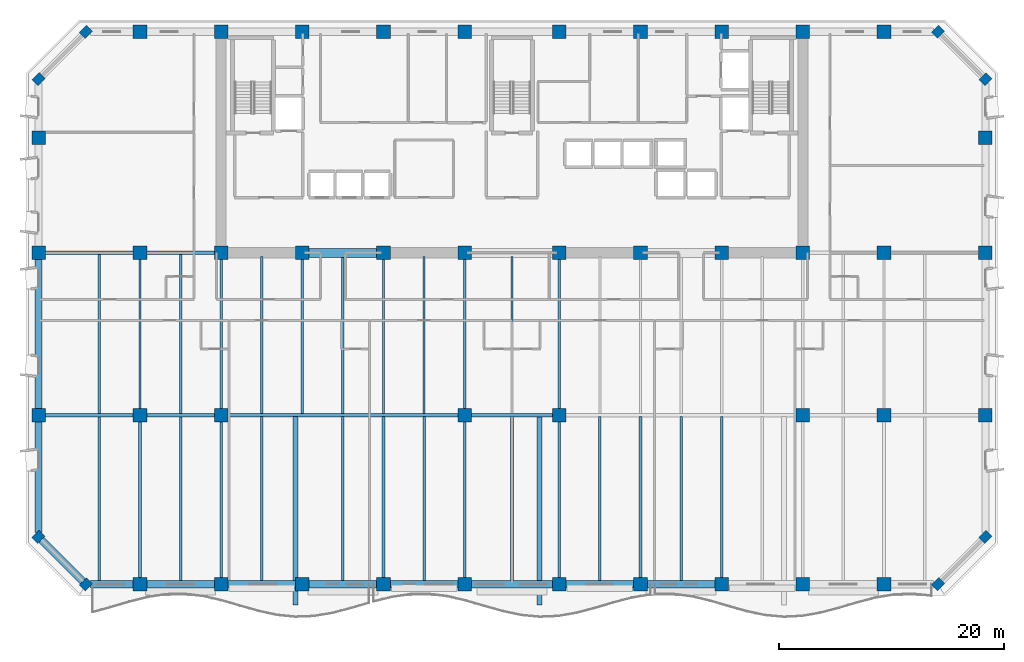
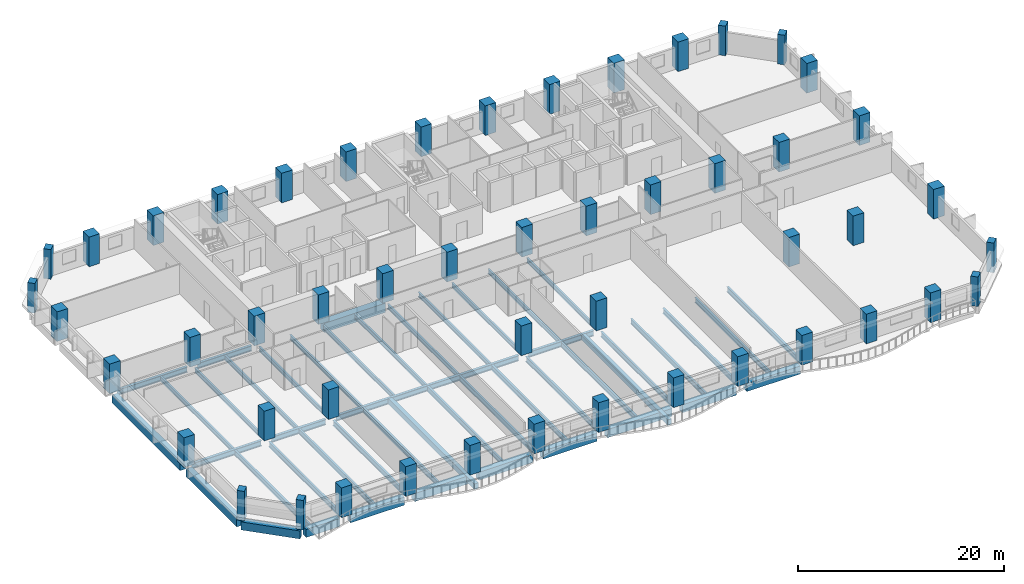
# One storey, part 1 of 15: 50 columns, 47 beams.
"""IFC4 building model written with IfcOpenShell, lengths in metres."""

from ifc_helpers import new_model, si_unit, direction, frame, origin, origin_2d, place, context, subcontext, project, spatial, rectangle, i_section, extrude, material, material_profile, profile_set, type_object, element, save


model = new_model("IFC4")

# Units and contexts
model_context = context("Model", 3, precision=1e-05, world=origin(), true_north=direction((0.0, 1.0)))
body_context = subcontext(model_context, "Body", "Model", "MODEL_VIEW")
ifc_project = project(units=[si_unit("LENGTHUNIT", "METRE"), si_unit("AREAUNIT", "SQUARE_METRE"), si_unit("VOLUMEUNIT", "CUBIC_METRE"), si_unit("PLANEANGLEUNIT", "RADIAN"), si_unit("MASSUNIT", "GRAM", prefix="KILO")], contexts=[model_context])

# Site, building, storey
site_placement = place(None, origin())
site = spatial("IfcSite", under=ifc_project, at=site_placement, CompositionType="ELEMENT")
building_placement = place(site_placement, origin())
building = spatial("IfcBuilding", under=site, at=building_placement, Name="Kaelvorn Grand Hotel", CompositionType="ELEMENT")
storey_placement = place(building_placement, frame((0.0, 0.0, 115.550048828125)))
storey = spatial("IfcBuildingStorey", under=building, at=storey_placement, Name="L27", CompositionType="ELEMENT", Elevation=115.550048828125)

# Columns
ifc_material_1 = material(Name="Concrete C60/75", Category="concrete")
ifc_material_profile_1 = material_profile(ifc_material_1, rectangle(XDim=0.89990234375, YDim=0.75, at=origin_2d()), Name="RC PILASTER 900x750")
ifc_profile_set_1 = profile_set([ifc_material_profile_1], Name="Concrete C60/75")
column_type_1 = type_object("IfcColumnType", Name="COL-PIL-900x750-C60", PredefinedType="PILASTER", material=ifc_profile_set_1)
for number, where, z_axis, x_axis, name in (
    (1, (4.199951171875, 0.0, 0.0), (0.0, 0.0, 1.0), (0.707106781187, 0.707106781187, 0.0), "L27 Structural Column CH-01"),
    (2, (79.800048828125, 0.0, 0.0), (0.0, 0.0, 1.0), (0.707106781187, 0.707106781187, 0.0), "L27 Structural Column CH-02"),
    (3, (84.0, 4.199951171875, 0.0), (0.0, 0.0, 1.0), (0.707106781187, 0.707106781187, 0.0), "L27 Structural Column CH-03"),
    (4, (84.0, 44.800048828125, 0.0), (0.0, 0.0, 1.0), (0.707106781187, 0.707106781187, 0.0), "L27 Structural Column CH-04"),
    (5, (79.800048828125, 49.0, 0.0), (0.0, 0.0, 1.0), (0.707106781187, 0.707106781187, 0.0), "L27 Structural Column CH-05"),
    (6, (4.199951171875, 49.0, 0.0), (0.0, 0.0, 1.0), (0.707106781187, 0.707106781187, 0.0), "L27 Structural Column CH-06"),
    (7, (0.0, 44.800048828125, 0.0), (0.0, 0.0, 1.0), (0.707106781187, 0.707106781187, 0.0), "L27 Structural Column CH-07"),
    (8, (0.0, 4.199951171875, 0.0), (0.0, 0.0, 1.0), (0.707106781187, 0.707106781187, 0.0), "L27 Structural Column CH-08"),
):
    element("IfcColumn", number, at=place(storey_placement, frame(where, z_axis=z_axis, x_axis=x_axis)), inside=storey, type_object=column_type_1, Name=name, PredefinedType="PILASTER", context=body_context, shape_type="SweptSolid", body=[
        extrude(rectangle(XDim=0.89990234375, YDim=0.75, at=origin_2d()), origin(), (0.0, 0.0, 1.0), 3.510009765625),
    ])
ifc_material_profile_2 = material_profile(ifc_material_1, rectangle(XDim=1.199951171875, YDim=1.199951171875, at=origin_2d()), Name="RC COL 1200x1200")
ifc_profile_set_2 = profile_set([ifc_material_profile_2], Name="Concrete C60/75")
column_type_2 = type_object("IfcColumnType", Name="COL-RC-1200-C60", PredefinedType="COLUMN", material=ifc_profile_set_2)
for number, where, z_axis, x_axis, name in (
    (9, (9.0, 0.0, 0.0), (0.0, 0.0, 1.0), (1.0, 0.0, 0.0), "L27 Structural Column S-01"),
    (10, (16.199951171875, 0.0, 0.0), (0.0, 0.0, 1.0), (1.0, 0.0, 0.0), "L27 Structural Column S-02"),
    (11, (23.39990234375, 0.0, 0.0), (0.0, 0.0, 1.0), (1.0, 0.0, 0.0), "L27 Structural Column S-03"),
    (12, (30.60009765625, 0.0, 0.0), (0.0, 0.0, 1.0), (1.0, 0.0, 0.0), "L27 Structural Column S-04"),
    (13, (37.800048828125, 0.0, 0.0), (0.0, 0.0, 1.0), (1.0, 0.0, 0.0), "L27 Structural Column S-05"),
    (14, (46.199951171875, 0.0, 0.0), (0.0, 0.0, 1.0), (1.0, 0.0, 0.0), "L27 Structural Column S-06"),
    (15, (53.39990234375, 0.0, 0.0), (0.0, 0.0, 1.0), (1.0, 0.0, 0.0), "L27 Structural Column S-07"),
    (16, (60.60009765625, 0.0, 0.0), (0.0, 0.0, 1.0), (1.0, 0.0, 0.0), "L27 Structural Column S-08"),
    (17, (67.800048828125, 0.0, 0.0), (0.0, 0.0, 1.0), (1.0, 0.0, 0.0), "L27 Structural Column S-09"),
    (18, (75.0, 0.0, 0.0), (0.0, 0.0, 1.0), (1.0, 0.0, 0.0), "L27 Structural Column S-10"),
    (19, (0.0, 15.0, 0.0), (0.0, 0.0, 1.0), (1.0, 0.0, 0.0), "L27 Structural Column W-01"),
    (20, (84.0, 15.0, 0.0), (0.0, 0.0, 1.0), (1.0, 0.0, 0.0), "L27 Structural Column E-01"),
    (21, (0.0, 29.39990234375, 0.0), (0.0, 0.0, 1.0), (1.0, 0.0, 0.0), "L27 Structural Column W-02"),
    (22, (84.0, 29.39990234375, 0.0), (0.0, 0.0, 1.0), (1.0, 0.0, 0.0), "L27 Structural Column E-02"),
    (23, (0.0, 39.60009765625, 0.0), (0.0, 0.0, 1.0), (1.0, 0.0, 0.0), "L27 Structural Column W-03"),
    (24, (84.0, 39.60009765625, 0.0), (0.0, 0.0, 1.0), (1.0, 0.0, 0.0), "L27 Structural Column E-03"),
    (25, (9.0, 15.0, 0.0), (0.0, 0.0, 1.0), (1.0, 0.0, 0.0), "L27 Structural Column M-01"),
    (26, (16.199951171875, 15.0, 0.0), (0.0, 0.0, 1.0), (1.0, 0.0, 0.0), "L27 Structural Column M-02"),
    (27, (37.800048828125, 15.0, 0.0), (0.0, 0.0, 1.0), (1.0, 0.0, 0.0), "L27 Structural Column M-03"),
    (28, (46.199951171875, 15.0, 0.0), (0.0, 0.0, 1.0), (1.0, 0.0, 0.0), "L27 Structural Column M-04"),
    (29, (67.800048828125, 15.0, 0.0), (0.0, 0.0, 1.0), (1.0, 0.0, 0.0), "L27 Structural Column M-05"),
    (30, (75.0, 15.0, 0.0), (0.0, 0.0, 1.0), (1.0, 0.0, 0.0), "L27 Structural Column M-06"),
    (31, (9.0, 29.39990234375, 0.0), (0.0, 0.0, 1.0), (1.0, 0.0, 0.0), "L27 Structural Column CR1-01"),
    (32, (9.0, 49.0, 0.0), (0.0, 0.0, 1.0), (1.0, 0.0, 0.0), "L27 Structural Column CR2-01"),
    (33, (16.199951171875, 29.39990234375, 0.0), (0.0, 0.0, 1.0), (1.0, 0.0, 0.0), "L27 Structural Column CR1-02"),
    (34, (16.199951171875, 49.0, 0.0), (0.0, 0.0, 1.0), (1.0, 0.0, 0.0), "L27 Structural Column CR2-02"),
    (35, (23.39990234375, 29.39990234375, 0.0), (0.0, 0.0, 1.0), (1.0, 0.0, 0.0), "L27 Structural Column CR1-03"),
    (36, (23.39990234375, 49.0, 0.0), (0.0, 0.0, 1.0), (1.0, 0.0, 0.0), "L27 Structural Column CR2-03"),
    (37, (30.60009765625, 29.39990234375, 0.0), (0.0, 0.0, 1.0), (1.0, 0.0, 0.0), "L27 Structural Column CR1-04"),
    (38, (30.60009765625, 49.0, 0.0), (0.0, 0.0, 1.0), (1.0, 0.0, 0.0), "L27 Structural Column CR2-04"),
    (39, (37.800048828125, 29.39990234375, 0.0), (0.0, 0.0, 1.0), (1.0, 0.0, 0.0), "L27 Structural Column CR1-05"),
    (40, (37.800048828125, 49.0, 0.0), (0.0, 0.0, 1.0), (1.0, 0.0, 0.0), "L27 Structural Column CR2-05"),
    (41, (46.199951171875, 29.39990234375, 0.0), (0.0, 0.0, 1.0), (1.0, 0.0, 0.0), "L27 Structural Column CR1-06"),
    (42, (46.199951171875, 49.0, 0.0), (0.0, 0.0, 1.0), (1.0, 0.0, 0.0), "L27 Structural Column CR2-06"),
    (43, (53.39990234375, 29.39990234375, 0.0), (0.0, 0.0, 1.0), (1.0, 0.0, 0.0), "L27 Structural Column CR1-07"),
    (44, (53.39990234375, 49.0, 0.0), (0.0, 0.0, 1.0), (1.0, 0.0, 0.0), "L27 Structural Column CR2-07"),
    (45, (60.60009765625, 29.39990234375, 0.0), (0.0, 0.0, 1.0), (1.0, 0.0, 0.0), "L27 Structural Column CR1-08"),
    (46, (60.60009765625, 49.0, 0.0), (0.0, 0.0, 1.0), (1.0, 0.0, 0.0), "L27 Structural Column CR2-08"),
    (47, (67.800048828125, 29.39990234375, 0.0), (0.0, 0.0, 1.0), (1.0, 0.0, 0.0), "L27 Structural Column CR1-09"),
    (48, (67.800048828125, 49.0, 0.0), (0.0, 0.0, 1.0), (1.0, 0.0, 0.0), "L27 Structural Column CR2-09"),
    (49, (75.0, 29.39990234375, 0.0), (0.0, 0.0, 1.0), (1.0, 0.0, 0.0), "L27 Structural Column CR1-10"),
    (50, (75.0, 49.0, 0.0), (0.0, 0.0, 1.0), (1.0, 0.0, 0.0), "L27 Structural Column CR2-10"),
):
    element("IfcColumn", number, at=place(storey_placement, frame(where, z_axis=z_axis, x_axis=x_axis)), inside=storey, type_object=column_type_2, Name=name, PredefinedType="COLUMN", context=body_context, shape_type="SweptSolid", body=[
        extrude(rectangle(XDim=1.199951171875, YDim=1.199951171875, at=origin_2d()), origin(), (0.0, 0.0, 1.0), 3.510009765625),
    ])

# Beams
ifc_material_2 = material(Name="Steel S355", Category="steel")
ifc_material_profile_3 = material_profile(ifc_material_2, i_section(OverallWidth=0.300048828125, OverallDepth=0.64990234375, WebThickness=0.01611328125, FlangeThickness=0.031005859375, FilletRadius=0.027099609375, at=origin_2d()), Name="HEB 650")
ifc_profile_set_3 = profile_set([ifc_material_profile_3], Name="Steel S355")
beam_type_1 = type_object("IfcBeamType", Name="BM-G-HEB650-S355", PredefinedType="BEAM", material=ifc_profile_set_3)
beam_1_placement = place(storey_placement, frame((0.5849609375, 15.0, -0.56494140625), z_axis=(1.0, 0.0, 0.0), x_axis=(0.0, 1.0, 0.0)))
element("IfcBeam", 51, at=beam_1_placement, inside=storey, type_object=beam_type_1, Name="L27 Primary Spine Steel Girder G-15 01", PredefinedType="BEAM", context=body_context, shape_type="SweptSolid", body=[
    extrude(i_section(OverallWidth=0.300048828125, OverallDepth=0.64990234375, WebThickness=0.01611328125, FlangeThickness=0.031005859375, FilletRadius=0.027099609375, at=origin_2d()), origin(), (0.0, 0.0, 1.0), 7.830078125),
])
beam_2_placement = place(storey_placement, frame((9.5849609375, 15.0, -0.56494140625), z_axis=(1.0, 0.0, 0.0), x_axis=(0.0, 1.0, 0.0)))
element("IfcBeam", 52, at=beam_2_placement, inside=storey, type_object=beam_type_1, Name="L27 Primary Spine Steel Girder G-15 02", PredefinedType="BEAM", context=body_context, shape_type="SweptSolid", body=[
    extrude(i_section(OverallWidth=0.300048828125, OverallDepth=0.64990234375, WebThickness=0.01611328125, FlangeThickness=0.031005859375, FilletRadius=0.027099609375, at=origin_2d()), origin(), (0.0, 0.0, 1.0), 6.030029296875),
])
beam_3_placement = place(storey_placement, frame((16.784912109375, 15.0, -0.56494140625), z_axis=(1.0, 0.0, 0.0), x_axis=(0.0, 1.0, 0.0)))
element("IfcBeam", 53, at=beam_3_placement, inside=storey, type_object=beam_type_1, Name="L27 Primary Spine Steel Girder G-15 03", PredefinedType="BEAM", context=body_context, shape_type="SweptSolid", body=[
    extrude(i_section(OverallWidth=0.300048828125, OverallDepth=0.64990234375, WebThickness=0.01611328125, FlangeThickness=0.031005859375, FilletRadius=0.027099609375, at=origin_2d()), origin(), (0.0, 0.0, 1.0), 20.43017578125),
])
beam_4_placement = place(storey_placement, frame((38.385009765625, 15.0, -0.56494140625), z_axis=(1.0, 0.0, 0.0), x_axis=(0.0, 1.0, 0.0)))
element("IfcBeam", 54, at=beam_4_placement, inside=storey, type_object=beam_type_1, Name="L27 Primary Spine Steel Girder G-15 04", PredefinedType="BEAM", context=body_context, shape_type="SweptSolid", body=[
    extrude(i_section(OverallWidth=0.300048828125, OverallDepth=0.64990234375, WebThickness=0.01611328125, FlangeThickness=0.031005859375, FilletRadius=0.027099609375, at=origin_2d()), origin(), (0.0, 0.0, 1.0), 7.22998046875),
])
beam_5_placement = place(storey_placement, frame((0.5849609375, 29.39990234375, -0.56494140625), z_axis=(1.0, 0.0, 0.0), x_axis=(0.0, 1.0, 0.0)))
element("IfcBeam", 55, at=beam_5_placement, inside=storey, type_object=beam_type_1, Name="L27 West Core Wing Steel Girder G-29W 01", PredefinedType="BEAM", context=body_context, shape_type="SweptSolid", body=[
    extrude(i_section(OverallWidth=0.300048828125, OverallDepth=0.64990234375, WebThickness=0.01611328125, FlangeThickness=0.031005859375, FilletRadius=0.027099609375, at=origin_2d()), origin(), (0.0, 0.0, 1.0), 7.830078125),
])
beam_6_placement = place(storey_placement, frame((9.5849609375, 29.39990234375, -0.56494140625), z_axis=(1.0, 0.0, 0.0), x_axis=(0.0, 1.0, 0.0)))
element("IfcBeam", 56, at=beam_6_placement, inside=storey, type_object=beam_type_1, Name="L27 West Core Wing Steel Girder G-29W 02", PredefinedType="BEAM", context=body_context, shape_type="SweptSolid", body=[
    extrude(i_section(OverallWidth=0.300048828125, OverallDepth=0.64990234375, WebThickness=0.01611328125, FlangeThickness=0.031005859375, FilletRadius=0.027099609375, at=origin_2d()), origin(), (0.0, 0.0, 1.0), 6.030029296875),
])
ifc_material_profile_4 = material_profile(ifc_material_2, i_section(OverallWidth=0.209228515625, OverallDepth=0.533203125, WebThickness=0.010009765625, FlangeThickness=0.015625, FilletRadius=0.0126953125, at=origin_2d()), Name="UB 533x210x92")
ifc_profile_set_4 = profile_set([ifc_material_profile_4], Name="Steel S355")
beam_type_2 = type_object("IfcBeamType", Name="BM-J-UB533-S355", PredefinedType="JOIST", material=ifc_profile_set_4)
beam_7_placement = place(storey_placement, frame((5.39990234375, 15.135009765625, -0.506591796875), z_axis=(0.0, 1.0, 0.0), x_axis=(-1.0, 0.0, 0.0)))
element("IfcBeam", 57, at=beam_7_placement, inside=storey, type_object=beam_type_2, Name="L27 Composite Floor Joist JM-02", PredefinedType="JOIST", context=body_context, shape_type="SweptSolid", body=[
    extrude(i_section(OverallWidth=0.209228515625, OverallDepth=0.533203125, WebThickness=0.010009765625, FlangeThickness=0.015625, FilletRadius=0.0126953125, at=origin_2d()), origin(), (0.0, 0.0, 1.0), 14.1298828125),
])
beam_8_placement = place(storey_placement, frame((9.0, 15.5849609375, -0.506591796875), z_axis=(0.0, 1.0, 0.0), x_axis=(-1.0, 0.0, 0.0)))
element("IfcBeam", 58, at=beam_8_placement, inside=storey, type_object=beam_type_2, Name="L27 Composite Floor Joist JM-03", PredefinedType="JOIST", context=body_context, shape_type="SweptSolid", body=[
    extrude(i_section(OverallWidth=0.209228515625, OverallDepth=0.533203125, WebThickness=0.010009765625, FlangeThickness=0.015625, FilletRadius=0.0126953125, at=origin_2d()), origin(), (0.0, 0.0, 1.0), 13.22998046875),
])
beam_9_placement = place(storey_placement, frame((12.60009765625, 15.135009765625, -0.506591796875), z_axis=(0.0, 1.0, 0.0), x_axis=(-1.0, 0.0, 0.0)))
element("IfcBeam", 59, at=beam_9_placement, inside=storey, type_object=beam_type_2, Name="L27 Composite Floor Joist JM-04", PredefinedType="JOIST", context=body_context, shape_type="SweptSolid", body=[
    extrude(i_section(OverallWidth=0.209228515625, OverallDepth=0.533203125, WebThickness=0.010009765625, FlangeThickness=0.015625, FilletRadius=0.0126953125, at=origin_2d()), origin(), (0.0, 0.0, 1.0), 14.1298828125),
])
beam_10_placement = place(storey_placement, frame((16.199951171875, 15.5849609375, -0.506591796875), z_axis=(0.0, 1.0, 0.0), x_axis=(-1.0, 0.0, 0.0)))
element("IfcBeam", 60, at=beam_10_placement, inside=storey, type_object=beam_type_2, Name="L27 Composite Floor Joist JM-05", PredefinedType="JOIST", context=body_context, shape_type="SweptSolid", body=[
    extrude(i_section(OverallWidth=0.209228515625, OverallDepth=0.533203125, WebThickness=0.010009765625, FlangeThickness=0.015625, FilletRadius=0.0126953125, at=origin_2d()), origin(), (0.0, 0.0, 1.0), 13.22998046875),
])
beam_11_placement = place(storey_placement, frame((19.800048828125, 15.135009765625, -0.506591796875), z_axis=(0.0, 1.0, 0.0), x_axis=(-1.0, 0.0, 0.0)))
element("IfcBeam", 61, at=beam_11_placement, inside=storey, type_object=beam_type_2, Name="L27 Composite Floor Joist JM-06", PredefinedType="JOIST", context=body_context, shape_type="SweptSolid", body=[
    extrude(i_section(OverallWidth=0.209228515625, OverallDepth=0.533203125, WebThickness=0.010009765625, FlangeThickness=0.015625, FilletRadius=0.0126953125, at=origin_2d()), origin(), (0.0, 0.0, 1.0), 13.925048828125),
])
beam_12_placement = place(storey_placement, frame((23.39990234375, 15.135009765625, -0.506591796875), z_axis=(0.0, 1.0, 0.0), x_axis=(-1.0, 0.0, 0.0)))
element("IfcBeam", 62, at=beam_12_placement, inside=storey, type_object=beam_type_2, Name="L27 Composite Floor Joist JM-07", PredefinedType="JOIST", context=body_context, shape_type="SweptSolid", body=[
    extrude(i_section(OverallWidth=0.209228515625, OverallDepth=0.533203125, WebThickness=0.010009765625, FlangeThickness=0.015625, FilletRadius=0.0126953125, at=origin_2d()), origin(), (0.0, 0.0, 1.0), 13.679931640625),
])
beam_13_placement = place(storey_placement, frame((27.0, 15.135009765625, -0.506591796875), z_axis=(0.0, 1.0, 0.0), x_axis=(-1.0, 0.0, 0.0)))
element("IfcBeam", 63, at=beam_13_placement, inside=storey, type_object=beam_type_2, Name="L27 Composite Floor Joist JM-08", PredefinedType="JOIST", context=body_context, shape_type="SweptSolid", body=[
    extrude(i_section(OverallWidth=0.209228515625, OverallDepth=0.533203125, WebThickness=0.010009765625, FlangeThickness=0.015625, FilletRadius=0.0126953125, at=origin_2d()), origin(), (0.0, 0.0, 1.0), 13.925048828125),
])
beam_14_placement = place(storey_placement, frame((30.60009765625, 15.135009765625, -0.506591796875), z_axis=(0.0, 1.0, 0.0), x_axis=(-1.0, 0.0, 0.0)))
element("IfcBeam", 64, at=beam_14_placement, inside=storey, type_object=beam_type_2, Name="L27 Composite Floor Joist JM-09", PredefinedType="JOIST", context=body_context, shape_type="SweptSolid", body=[
    extrude(i_section(OverallWidth=0.209228515625, OverallDepth=0.533203125, WebThickness=0.010009765625, FlangeThickness=0.015625, FilletRadius=0.0126953125, at=origin_2d()), origin(), (0.0, 0.0, 1.0), 13.679931640625),
])
beam_15_placement = place(storey_placement, frame((34.199951171875, 15.135009765625, -0.506591796875), z_axis=(0.0, 1.0, 0.0), x_axis=(-1.0, 0.0, 0.0)))
element("IfcBeam", 65, at=beam_15_placement, inside=storey, type_object=beam_type_2, Name="L27 Composite Floor Joist JM-10", PredefinedType="JOIST", context=body_context, shape_type="SweptSolid", body=[
    extrude(i_section(OverallWidth=0.209228515625, OverallDepth=0.533203125, WebThickness=0.010009765625, FlangeThickness=0.015625, FilletRadius=0.0126953125, at=origin_2d()), origin(), (0.0, 0.0, 1.0), 13.925048828125),
])
beam_16_placement = place(storey_placement, frame((37.800048828125, 15.5849609375, -0.506591796875), z_axis=(0.0, 1.0, 0.0), x_axis=(-1.0, 0.0, 0.0)))
element("IfcBeam", 66, at=beam_16_placement, inside=storey, type_object=beam_type_2, Name="L27 Composite Floor Joist JM-11", PredefinedType="JOIST", context=body_context, shape_type="SweptSolid", body=[
    extrude(i_section(OverallWidth=0.209228515625, OverallDepth=0.533203125, WebThickness=0.010009765625, FlangeThickness=0.015625, FilletRadius=0.0126953125, at=origin_2d()), origin(), (0.0, 0.0, 1.0), 13.22998046875),
])
beam_17_placement = place(storey_placement, frame((42.0, 15.135009765625, -0.506591796875), z_axis=(0.0, 1.0, 0.0), x_axis=(-1.0, 0.0, 0.0)))
element("IfcBeam", 67, at=beam_17_placement, inside=storey, type_object=beam_type_2, Name="L27 Composite Floor Joist JM-12", PredefinedType="JOIST", context=body_context, shape_type="SweptSolid", body=[
    extrude(i_section(OverallWidth=0.209228515625, OverallDepth=0.533203125, WebThickness=0.010009765625, FlangeThickness=0.015625, FilletRadius=0.0126953125, at=origin_2d()), origin(), (0.0, 0.0, 1.0), 13.925048828125),
])
beam_18_placement = place(storey_placement, frame((46.199951171875, 15.5849609375, -0.506591796875), z_axis=(0.0, 1.0, 0.0), x_axis=(-1.0, 0.0, 0.0)))
element("IfcBeam", 68, at=beam_18_placement, inside=storey, type_object=beam_type_2, Name="L27 Composite Floor Joist JM-13", PredefinedType="JOIST", context=body_context, shape_type="SweptSolid", body=[
    extrude(i_section(OverallWidth=0.209228515625, OverallDepth=0.533203125, WebThickness=0.010009765625, FlangeThickness=0.015625, FilletRadius=0.0126953125, at=origin_2d()), origin(), (0.0, 0.0, 1.0), 13.22998046875),
])
ifc_material_profile_5 = material_profile(ifc_material_2, i_section(OverallWidth=0.22900390625, OverallDepth=0.6123046875, WebThickness=0.011962890625, FlangeThickness=0.01953125, FilletRadius=0.0126953125, at=origin_2d()), Name="UB 610x229x125")
ifc_profile_set_5 = profile_set([ifc_material_profile_5], Name="Steel S355")
beam_type_3 = type_object("IfcBeamType", Name="BM-J-UB610-S355", PredefinedType="JOIST", material=ifc_profile_set_5)
beam_19_placement = place(storey_placement, frame((5.39990234375, 0.31005859375, -0.546142578125), z_axis=(0.0, 1.0, 0.0), x_axis=(-1.0, 0.0, 0.0)))
element("IfcBeam", 69, at=beam_19_placement, inside=storey, type_object=beam_type_3, Name="L27 Composite Floor Joist JS-02", PredefinedType="JOIST", context=body_context, shape_type="SweptSolid", body=[
    extrude(i_section(OverallWidth=0.22900390625, OverallDepth=0.6123046875, WebThickness=0.011962890625, FlangeThickness=0.01953125, FilletRadius=0.0126953125, at=origin_2d()), origin(), (0.0, 0.0, 1.0), 14.554931640625),
])
beam_20_placement = place(storey_placement, frame((9.0, 0.5849609375, -0.546142578125), z_axis=(0.0, 1.0, 0.0), x_axis=(-1.0, 0.0, 0.0)))
element("IfcBeam", 70, at=beam_20_placement, inside=storey, type_object=beam_type_3, Name="L27 Composite Floor Joist JS-03", PredefinedType="JOIST", context=body_context, shape_type="SweptSolid", body=[
    extrude(i_section(OverallWidth=0.22900390625, OverallDepth=0.6123046875, WebThickness=0.011962890625, FlangeThickness=0.01953125, FilletRadius=0.0126953125, at=origin_2d()), origin(), (0.0, 0.0, 1.0), 13.830078125),
])
beam_21_placement = place(storey_placement, frame((12.60009765625, 0.31005859375, -0.546142578125), z_axis=(0.0, 1.0, 0.0), x_axis=(-1.0, 0.0, 0.0)))
element("IfcBeam", 71, at=beam_21_placement, inside=storey, type_object=beam_type_3, Name="L27 Composite Floor Joist JS-04", PredefinedType="JOIST", context=body_context, shape_type="SweptSolid", body=[
    extrude(i_section(OverallWidth=0.22900390625, OverallDepth=0.6123046875, WebThickness=0.011962890625, FlangeThickness=0.01953125, FilletRadius=0.0126953125, at=origin_2d()), origin(), (0.0, 0.0, 1.0), 14.554931640625),
])
beam_22_placement = place(storey_placement, frame((16.199951171875, 0.5849609375, -0.546142578125), z_axis=(0.0, 1.0, 0.0), x_axis=(-1.0, 0.0, 0.0)))
element("IfcBeam", 72, at=beam_22_placement, inside=storey, type_object=beam_type_3, Name="L27 Composite Floor Joist JS-05", PredefinedType="JOIST", context=body_context, shape_type="SweptSolid", body=[
    extrude(i_section(OverallWidth=0.22900390625, OverallDepth=0.6123046875, WebThickness=0.011962890625, FlangeThickness=0.01953125, FilletRadius=0.0126953125, at=origin_2d()), origin(), (0.0, 0.0, 1.0), 13.830078125),
])
for number, where, z_axis, x_axis, name in (
    (73, (19.800048828125, 0.31005859375, -0.546142578125), (0.0, 1.0, 0.0), (-1.0, 0.0, 0.0), "L27 Composite Floor Joist JS-06"),
    (74, (27.0, 0.31005859375, -0.546142578125), (0.0, 1.0, 0.0), (-1.0, 0.0, 0.0), "L27 Composite Floor Joist JS-08"),
):
    element("IfcBeam", number, at=place(storey_placement, frame(where, z_axis=z_axis, x_axis=x_axis)), inside=storey, type_object=beam_type_3, Name=name, PredefinedType="JOIST", context=body_context, shape_type="SweptSolid", body=[
        extrude(i_section(OverallWidth=0.22900390625, OverallDepth=0.6123046875, WebThickness=0.011962890625, FlangeThickness=0.01953125, FilletRadius=0.0126953125, at=origin_2d()), origin(), (0.0, 0.0, 1.0), 14.554931640625),
    ])
beam_23_placement = place(storey_placement, frame((30.60009765625, 0.5849609375, -0.546142578125), z_axis=(0.0, 1.0, 0.0), x_axis=(-1.0, 0.0, 0.0)))
element("IfcBeam", 75, at=beam_23_placement, inside=storey, type_object=beam_type_3, Name="L27 Composite Floor Joist JS-09", PredefinedType="JOIST", context=body_context, shape_type="SweptSolid", body=[
    extrude(i_section(OverallWidth=0.22900390625, OverallDepth=0.6123046875, WebThickness=0.011962890625, FlangeThickness=0.01953125, FilletRadius=0.0126953125, at=origin_2d()), origin(), (0.0, 0.0, 1.0), 14.280029296875),
])
beam_24_placement = place(storey_placement, frame((34.199951171875, 0.31005859375, -0.546142578125), z_axis=(0.0, 1.0, 0.0), x_axis=(-1.0, 0.0, 0.0)))
element("IfcBeam", 76, at=beam_24_placement, inside=storey, type_object=beam_type_3, Name="L27 Composite Floor Joist JS-10", PredefinedType="JOIST", context=body_context, shape_type="SweptSolid", body=[
    extrude(i_section(OverallWidth=0.22900390625, OverallDepth=0.6123046875, WebThickness=0.011962890625, FlangeThickness=0.01953125, FilletRadius=0.0126953125, at=origin_2d()), origin(), (0.0, 0.0, 1.0), 14.554931640625),
])
beam_25_placement = place(storey_placement, frame((37.800048828125, 0.5849609375, -0.546142578125), z_axis=(0.0, 1.0, 0.0), x_axis=(-1.0, 0.0, 0.0)))
element("IfcBeam", 77, at=beam_25_placement, inside=storey, type_object=beam_type_3, Name="L27 Composite Floor Joist JS-11", PredefinedType="JOIST", context=body_context, shape_type="SweptSolid", body=[
    extrude(i_section(OverallWidth=0.22900390625, OverallDepth=0.6123046875, WebThickness=0.011962890625, FlangeThickness=0.01953125, FilletRadius=0.0126953125, at=origin_2d()), origin(), (0.0, 0.0, 1.0), 13.830078125),
])
beam_26_placement = place(storey_placement, frame((42.0, 0.31005859375, -0.546142578125), z_axis=(0.0, 1.0, 0.0), x_axis=(-1.0, 0.0, 0.0)))
element("IfcBeam", 78, at=beam_26_placement, inside=storey, type_object=beam_type_3, Name="L27 Composite Floor Joist JS-12", PredefinedType="JOIST", context=body_context, shape_type="SweptSolid", body=[
    extrude(i_section(OverallWidth=0.22900390625, OverallDepth=0.6123046875, WebThickness=0.011962890625, FlangeThickness=0.01953125, FilletRadius=0.0126953125, at=origin_2d()), origin(), (0.0, 0.0, 1.0), 14.554931640625),
])
beam_27_placement = place(storey_placement, frame((46.199951171875, 0.5849609375, -0.546142578125), z_axis=(0.0, 1.0, 0.0), x_axis=(-1.0, 0.0, 0.0)))
element("IfcBeam", 79, at=beam_27_placement, inside=storey, type_object=beam_type_3, Name="L27 Composite Floor Joist JS-13", PredefinedType="JOIST", context=body_context, shape_type="SweptSolid", body=[
    extrude(i_section(OverallWidth=0.22900390625, OverallDepth=0.6123046875, WebThickness=0.011962890625, FlangeThickness=0.01953125, FilletRadius=0.0126953125, at=origin_2d()), origin(), (0.0, 0.0, 1.0), 13.830078125),
])
beam_28_placement = place(storey_placement, frame((49.800048828125, 0.31005859375, -0.546142578125), z_axis=(0.0, 1.0, 0.0), x_axis=(-1.0, 0.0, 0.0)))
element("IfcBeam", 80, at=beam_28_placement, inside=storey, type_object=beam_type_3, Name="L27 Composite Floor Joist JS-14", PredefinedType="JOIST", context=body_context, shape_type="SweptSolid", body=[
    extrude(i_section(OverallWidth=0.22900390625, OverallDepth=0.6123046875, WebThickness=0.011962890625, FlangeThickness=0.01953125, FilletRadius=0.0126953125, at=origin_2d()), origin(), (0.0, 0.0, 1.0), 14.554931640625),
])
beam_29_placement = place(storey_placement, frame((53.39990234375, 0.5849609375, -0.546142578125), z_axis=(0.0, 1.0, 0.0), x_axis=(-1.0, 0.0, 0.0)))
element("IfcBeam", 81, at=beam_29_placement, inside=storey, type_object=beam_type_3, Name="L27 Composite Floor Joist JS-15", PredefinedType="JOIST", context=body_context, shape_type="SweptSolid", body=[
    extrude(i_section(OverallWidth=0.22900390625, OverallDepth=0.6123046875, WebThickness=0.011962890625, FlangeThickness=0.01953125, FilletRadius=0.0126953125, at=origin_2d()), origin(), (0.0, 0.0, 1.0), 14.280029296875),
])
beam_30_placement = place(storey_placement, frame((57.0, 0.31005859375, -0.546142578125), z_axis=(0.0, 1.0, 0.0), x_axis=(-1.0, 0.0, 0.0)))
element("IfcBeam", 82, at=beam_30_placement, inside=storey, type_object=beam_type_3, Name="L27 Composite Floor Joist JS-16", PredefinedType="JOIST", context=body_context, shape_type="SweptSolid", body=[
    extrude(i_section(OverallWidth=0.22900390625, OverallDepth=0.6123046875, WebThickness=0.011962890625, FlangeThickness=0.01953125, FilletRadius=0.0126953125, at=origin_2d()), origin(), (0.0, 0.0, 1.0), 14.554931640625),
])
beam_31_placement = place(storey_placement, frame((60.60009765625, 0.5849609375, -0.546142578125), z_axis=(0.0, 1.0, 0.0), x_axis=(-1.0, 0.0, 0.0)))
element("IfcBeam", 83, at=beam_31_placement, inside=storey, type_object=beam_type_3, Name="L27 Composite Floor Joist JS-17", PredefinedType="JOIST", context=body_context, shape_type="SweptSolid", body=[
    extrude(i_section(OverallWidth=0.22900390625, OverallDepth=0.6123046875, WebThickness=0.011962890625, FlangeThickness=0.01953125, FilletRadius=0.0126953125, at=origin_2d()), origin(), (0.0, 0.0, 1.0), 14.280029296875),
])
ifc_material_profile_6 = material_profile(ifc_material_1, rectangle(XDim=0.800048828125, YDim=1.10009765625, at=origin_2d()), Name="RC LINTEL 800x1100")
ifc_profile_set_6 = profile_set([ifc_material_profile_6], Name="Concrete C60/75")
beam_type_4 = type_object("IfcBeamType", Name="BM-LIN-800x1100-C60", PredefinedType="LINTEL", material=ifc_profile_set_6)
beam_32_placement = place(storey_placement, frame((23.580078125, 29.39990234375, -0.7900390625), z_axis=(1.0, 0.0, 0.0), x_axis=(0.0, 1.0, 0.0)))
element("IfcBeam", 84, at=beam_32_placement, inside=storey, type_object=beam_type_4, Name="L27 Rear-Core Coupling Lintel Beam CB1-01", PredefinedType="LINTEL", context=body_context, shape_type="SweptSolid", body=[
    extrude(rectangle(XDim=0.800048828125, YDim=1.10009765625, at=origin_2d()), origin(), (0.0, 0.0, 1.0), 6.83984375),
])
ifc_material_3 = material(Name="Concrete C40/50", Category="concrete")
ifc_material_profile_7 = material_profile(ifc_material_3, rectangle(XDim=0.449951171875, YDim=0.64990234375, at=origin_2d()), Name="RC RIB 450x650")
ifc_profile_set_7 = profile_set([ifc_material_profile_7], Name="Concrete C40/50")
beam_type_5 = type_object("IfcBeamType", Name="BM-RIB-450x650-C40", PredefinedType="SPANDREL", material=ifc_profile_set_7)
for number, where, z_axis, x_axis, name in (
    (85, (22.791015625, -1.85009765625, -0.545166015625), (0.0, 1.0, 0.0), (-1.0, 0.0, 0.0), "L27 Cantilevered Balcony Back-Span Rib RB1-1"),
    (86, (44.453369140625, -1.85009765625, -0.545166015625), (0.0, 1.0, 0.0), (-1.0, 0.0, 0.0), "L27 Cantilevered Balcony Back-Span Rib RB1-2"),
):
    element("IfcBeam", number, at=place(storey_placement, frame(where, z_axis=z_axis, x_axis=x_axis)), inside=storey, type_object=beam_type_5, Name=name, PredefinedType="SPANDREL", context=body_context, shape_type="SweptSolid", body=[
        extrude(rectangle(XDim=0.449951171875, YDim=0.64990234375, at=origin_2d()), origin(), (0.0, 0.0, 1.0), 16.715087890625),
    ])
ifc_material_profile_8 = material_profile(ifc_material_1, rectangle(XDim=0.64990234375, YDim=0.949951171875, at=origin_2d()), Name="RC SPANDREL 650x950")
ifc_profile_set_8 = profile_set([ifc_material_profile_8], Name="Concrete C60/75")
beam_type_6 = type_object("IfcBeamType", Name="BM-SP-650x950-C60", PredefinedType="SPANDREL", material=ifc_profile_set_8)
beam_33_placement = place(storey_placement, frame((4.60498046875, 0.0, -0.715087890625), z_axis=(1.0, 0.0, 0.0), x_axis=(0.0, 1.0, 0.0)))
element("IfcBeam", 87, at=beam_33_placement, inside=storey, type_object=beam_type_6, Name="L27 South Perimeter Spandrel 01", PredefinedType="SPANDREL", context=body_context, shape_type="SweptSolid", body=[
    extrude(rectangle(XDim=0.64990234375, YDim=0.949951171875, at=origin_2d()), origin(), (0.0, 0.0, 1.0), 3.81005859375),
])
for number, where, z_axis, x_axis, name in (
    (88, (9.5849609375, 0.0, -0.715087890625), (1.0, 0.0, 0.0), (0.0, 1.0, 0.0), "L27 South Perimeter Spandrel 02"),
    (89, (16.784912109375, 0.0, -0.715087890625), (1.0, 0.0, 0.0), (0.0, 1.0, 0.0), "L27 South Perimeter Spandrel 03"),
):
    element("IfcBeam", number, at=place(storey_placement, frame(where, z_axis=z_axis, x_axis=x_axis)), inside=storey, type_object=beam_type_6, Name=name, PredefinedType="SPANDREL", context=body_context, shape_type="SweptSolid", body=[
        extrude(rectangle(XDim=0.64990234375, YDim=0.949951171875, at=origin_2d()), origin(), (0.0, 0.0, 1.0), 6.030029296875),
    ])
beam_34_placement = place(storey_placement, frame((23.985107421875, 0.0, -0.715087890625), z_axis=(1.0, 0.0, 0.0), x_axis=(0.0, 1.0, 0.0)))
element("IfcBeam", 90, at=beam_34_placement, inside=storey, type_object=beam_type_6, Name="L27 South Perimeter Spandrel 04", PredefinedType="SPANDREL", context=body_context, shape_type="SweptSolid", body=[
    extrude(rectangle(XDim=0.64990234375, YDim=0.949951171875, at=origin_2d()), origin(), (0.0, 0.0, 1.0), 6.02978515625),
])
beam_35_placement = place(storey_placement, frame((31.18505859375, 0.0, -0.715087890625), z_axis=(1.0, 0.0, 0.0), x_axis=(0.0, 1.0, 0.0)))
element("IfcBeam", 91, at=beam_35_placement, inside=storey, type_object=beam_type_6, Name="L27 South Perimeter Spandrel 05", PredefinedType="SPANDREL", context=body_context, shape_type="SweptSolid", body=[
    extrude(rectangle(XDim=0.64990234375, YDim=0.949951171875, at=origin_2d()), origin(), (0.0, 0.0, 1.0), 6.030029296875),
])
beam_36_placement = place(storey_placement, frame((38.385009765625, 0.0, -0.715087890625), z_axis=(1.0, 0.0, 0.0), x_axis=(0.0, 1.0, 0.0)))
element("IfcBeam", 92, at=beam_36_placement, inside=storey, type_object=beam_type_6, Name="L27 South Perimeter Spandrel 06", PredefinedType="SPANDREL", context=body_context, shape_type="SweptSolid", body=[
    extrude(rectangle(XDim=0.64990234375, YDim=0.949951171875, at=origin_2d()), origin(), (0.0, 0.0, 1.0), 7.22998046875),
])
beam_37_placement = place(storey_placement, frame((46.784912109375, 0.0, -0.715087890625), z_axis=(1.0, 0.0, 0.0), x_axis=(0.0, 1.0, 0.0)))
element("IfcBeam", 93, at=beam_37_placement, inside=storey, type_object=beam_type_6, Name="L27 South Perimeter Spandrel 07", PredefinedType="SPANDREL", context=body_context, shape_type="SweptSolid", body=[
    extrude(rectangle(XDim=0.64990234375, YDim=0.949951171875, at=origin_2d()), origin(), (0.0, 0.0, 1.0), 6.030029296875),
])
beam_38_placement = place(storey_placement, frame((53.985107421875, 0.0, -0.715087890625), z_axis=(1.0, 0.0, 0.0), x_axis=(0.0, 1.0, 0.0)))
element("IfcBeam", 94, at=beam_38_placement, inside=storey, type_object=beam_type_6, Name="L27 South Perimeter Spandrel 08", PredefinedType="SPANDREL", context=body_context, shape_type="SweptSolid", body=[
    extrude(rectangle(XDim=0.64990234375, YDim=0.949951171875, at=origin_2d()), origin(), (0.0, 0.0, 1.0), 6.02978515625),
])
beam_39_placement = place(storey_placement, frame((0.0, 4.60498046875, -0.715087890625), z_axis=(0.0, 1.0, 0.0), x_axis=(-1.0, 0.0, 0.0)))
element("IfcBeam", 95, at=beam_39_placement, inside=storey, type_object=beam_type_6, Name="L27 West Perimeter Spandrel 01", PredefinedType="SPANDREL", context=body_context, shape_type="SweptSolid", body=[
    extrude(rectangle(XDim=0.64990234375, YDim=0.949951171875, at=origin_2d()), origin(), (0.0, 0.0, 1.0), 9.81005859375),
])
beam_40_placement = place(storey_placement, frame((0.0, 15.5849609375, -0.715087890625), z_axis=(0.0, 1.0, 0.0), x_axis=(-1.0, 0.0, 0.0)))
element("IfcBeam", 96, at=beam_40_placement, inside=storey, type_object=beam_type_6, Name="L27 West Perimeter Spandrel 02", PredefinedType="SPANDREL", context=body_context, shape_type="SweptSolid", body=[
    extrude(rectangle(XDim=0.64990234375, YDim=0.949951171875, at=origin_2d()), origin(), (0.0, 0.0, 1.0), 13.22998046875),
])
beam_41_placement = place(storey_placement, frame((0.0, 4.199951171875, -0.715087890625), z_axis=(0.707106781187, -0.707106781187, 0.0), x_axis=(0.707106781187, 0.707106781187, 0.0)))
element("IfcBeam", 97, at=beam_41_placement, inside=storey, type_object=beam_type_6, Name="L27 Chamfer Spandrel Beam 4", PredefinedType="SPANDREL", context=body_context, shape_type="SweptSolid", body=[
    extrude(rectangle(XDim=0.64990234375, YDim=0.949951171875, at=origin_2d()), origin(), (0.0, 0.0, 1.0), 5.939697265625),
])

save(model, "model.ifc")
